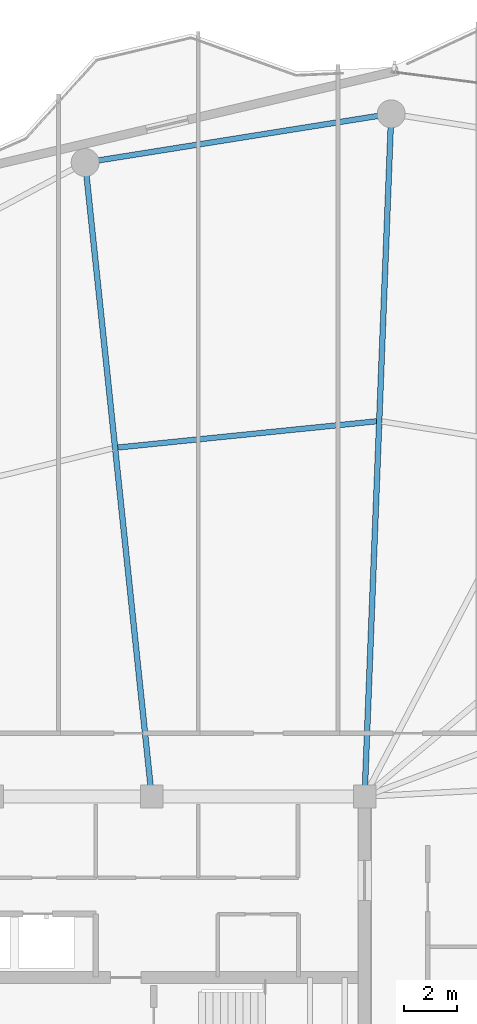
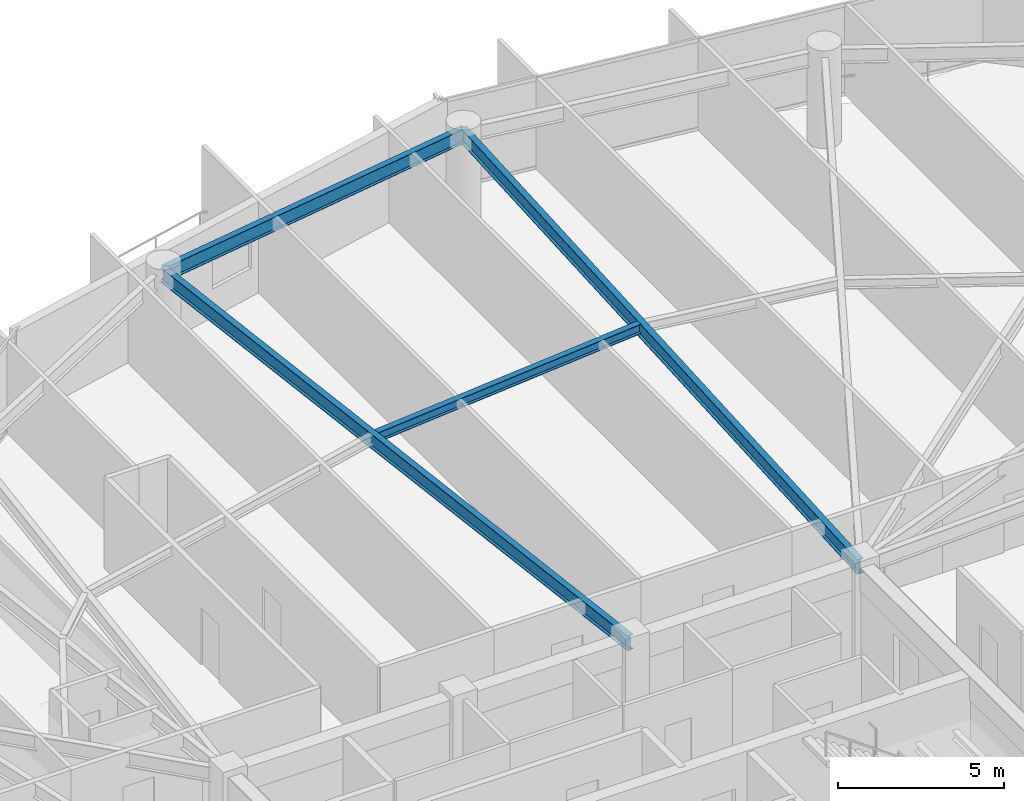
# One storey, part 19 of 31: 4 beams.
"""IFC4 building model written with IfcOpenShell, lengths in metres."""

from ifc_helpers import new_model, si_unit, direction, frame, origin, origin_2d, place, context, subcontext, project, spatial, i_section, extrude, material, material_profile, profile_set, type_object, element, save


model = new_model("IFC4")

# Units and contexts
model_context = context("Model", 3, precision=1e-05, world=origin(), true_north=direction((0.0, 1.0)))
body_context = subcontext(model_context, "Body", "Model", "MODEL_VIEW")
ifc_project = project(units=[si_unit("LENGTHUNIT", "METRE"), si_unit("AREAUNIT", "SQUARE_METRE"), si_unit("VOLUMEUNIT", "CUBIC_METRE"), si_unit("PLANEANGLEUNIT", "RADIAN"), si_unit("MASSUNIT", "GRAM", prefix="KILO")], contexts=[model_context])

# Site, building, storey
site_placement = place(None, origin())
site = spatial("IfcSite", under=ifc_project, at=site_placement, CompositionType="ELEMENT")
building_placement = place(site_placement, origin())
building = spatial("IfcBuilding", under=site, at=building_placement, Name="Kazevale Care Tower and Concert Hall", CompositionType="ELEMENT")
storey_placement = place(building_placement, frame((0.0, 0.0, 235.199951171875)))
storey = spatial("IfcBuildingStorey", under=building, at=storey_placement, Name="L62", CompositionType="ELEMENT", Elevation=235.199951171875)

# Beams
ifc_material = material(Name="Steel ASTM A572 Gr 50", Category="steel")
ifc_material_profile_1 = material_profile(ifc_material, i_section(OverallWidth=0.2119140625, OverallDepth=0.5439453125, WebThickness=0.01318359375, FlangeThickness=0.021240234375, at=origin_2d()), Name="W530x123")
ifc_profile_set_1 = profile_set([ifc_material_profile_1], Name="Steel ASTM A572 Gr 50")
beam_type_1 = type_object("IfcBeamType", Name="Radial Floor Girder W530x123", PredefinedType="BEAM", material=ifc_profile_set_1)
beam_1_placement = place(storey_placement, frame((44.0, 36.39990234375, 3.088134765625), z_axis=(0.03895653799, 0.999240905962, 0.0), x_axis=(-0.999240905962, 0.03895653799, 0.0)))
element("IfcBeam", 1, at=beam_1_placement, inside=storey, type_object=beam_type_1, Name="beam:L62:rad:05", PredefinedType="BEAM", context=body_context, shape_type="SweptSolid", body=[
    extrude(i_section(OverallWidth=0.2119140625, OverallDepth=0.5439453125, WebThickness=0.01318359375, FlangeThickness=0.021240234375, at=origin_2d()), origin(), (0.0, 0.0, 1.0), 25.669677734375),
])
beam_2_placement = place(storey_placement, frame((36.0, 36.39990234375, 3.088134765625), z_axis=(-0.104380207012, 0.994537466556, 0.0), x_axis=(-0.994537466556, -0.104380207012, 0.0)))
element("IfcBeam", 2, at=beam_2_placement, inside=storey, type_object=beam_type_1, Name="beam:L62:rad:06", PredefinedType="BEAM", context=body_context, shape_type="SweptSolid", body=[
    extrude(i_section(OverallWidth=0.2119140625, OverallDepth=0.5439453125, WebThickness=0.01318359375, FlangeThickness=0.021240234375, at=origin_2d()), origin(), (0.0, 0.0, 1.0), 23.950927734375),
])
ifc_material_profile_2 = material_profile(ifc_material, i_section(OverallWidth=0.205078125, OverallDepth=0.35400390625, WebThickness=0.009521484375, FlangeThickness=0.016845703125, at=origin_2d()), Name="W360x79")
ifc_profile_set_2 = profile_set([ifc_material_profile_2], Name="Steel ASTM A572 Gr 50")
beam_type_2 = type_object("IfcBeamType", Name="Secondary Floor Joist W360x79", PredefinedType="JOIST", material=ifc_profile_set_2)
beam_3_placement = place(storey_placement, frame((44.446044921875, 50.4970703125, 3.18310546875), z_axis=(-0.994900388447, -0.10086236696, 0.0), x_axis=(0.10086236696, -0.994900388447, 0.0)))
element("IfcBeam", 3, at=beam_3_placement, inside=storey, type_object=beam_type_2, Name="beam:L62:joist:05", PredefinedType="JOIST", context=body_context, shape_type="SweptSolid", body=[
    extrude(i_section(OverallWidth=0.205078125, OverallDepth=0.35400390625, WebThickness=0.009521484375, FlangeThickness=0.016845703125, at=origin_2d()), origin(), (0.0, 0.0, 1.0), 9.766845703125),
])
ifc_material_profile_3 = material_profile(ifc_material, i_section(OverallWidth=0.208984375, OverallDepth=0.532958984375, WebThickness=0.01025390625, FlangeThickness=0.015625, at=origin_2d()), Name="W530x92")
ifc_profile_set_3 = profile_set([ifc_material_profile_3], Name="Steel ASTM A572 Gr 50")
beam_type_3 = type_object("IfcBeamType", Name="Upper Ring Beam W530x92", PredefinedType="BEAM", material=ifc_profile_set_3)
beam_4_placement = place(storey_placement, frame((45.0, 62.050048828125, 3.093505859375), z_axis=(-0.987573207584, -0.15715966296, 0.0), x_axis=(0.15715966296, -0.987573207584, 0.0)))
element("IfcBeam", 4, at=beam_4_placement, inside=storey, type_object=beam_type_3, Name="beam:L62:ring:05", PredefinedType="BEAM", context=body_context, shape_type="SweptSolid", body=[
    extrude(i_section(OverallWidth=0.208984375, OverallDepth=0.532958984375, WebThickness=0.01025390625, FlangeThickness=0.015625, at=origin_2d()), origin(), (0.0, 0.0, 1.0), 11.644775390625),
])

save(model, "model.ifc")
